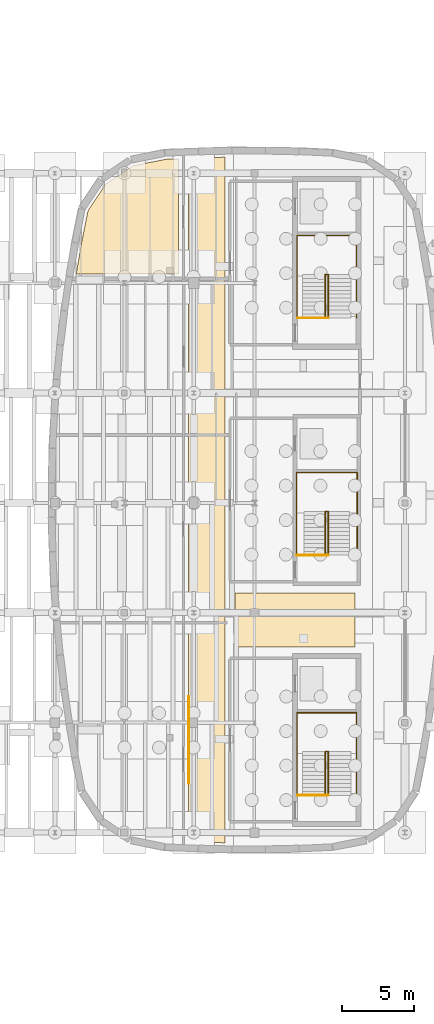
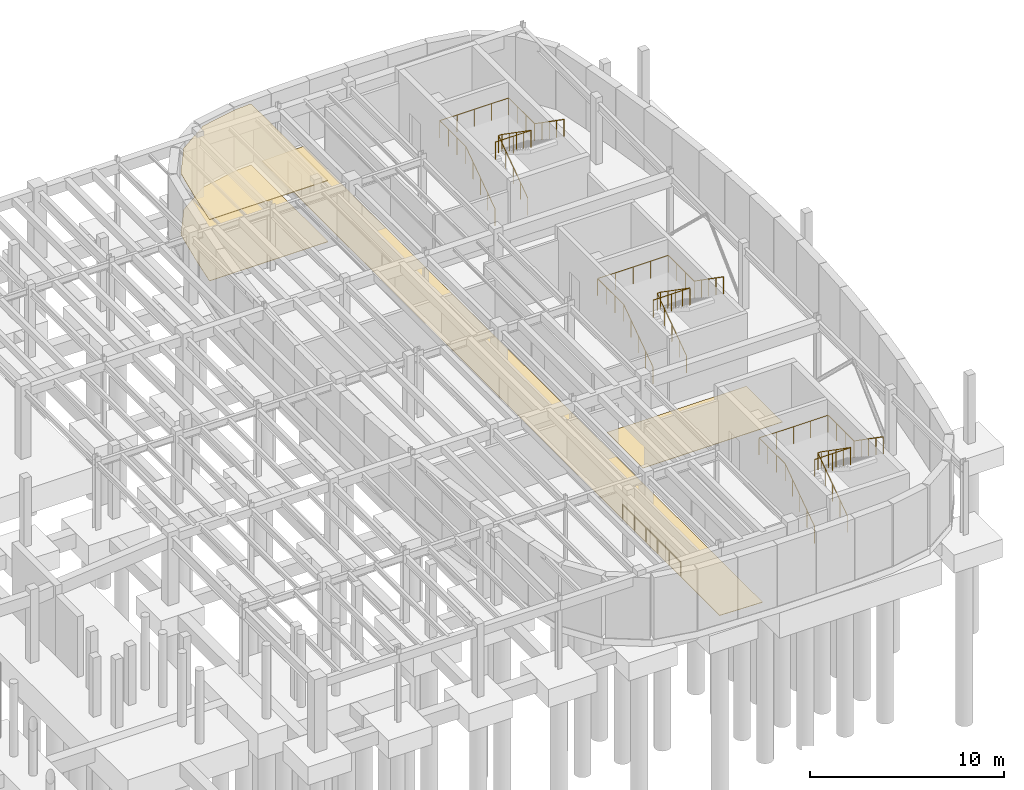
# One storey, part 44 of 45: 10 railings, 4 coverings.
"""IFC4 building model written with IfcOpenShell, lengths in metres."""

from ifc_helpers import new_model, si_unit, direction, frame, origin, origin_2d, place, context, subcontext, project, spatial, polyline, circle, outline, extrude, material, layer, layer_set, type_object, element, save


model = new_model("IFC4")

# Units and contexts
model_context = context("Model", 3, precision=1e-05, world=origin(), true_north=direction((0.0, 1.0)))
body_context = subcontext(model_context, "Body", "Model", "MODEL_VIEW")
ifc_project = project(units=[si_unit("LENGTHUNIT", "METRE"), si_unit("AREAUNIT", "SQUARE_METRE"), si_unit("VOLUMEUNIT", "CUBIC_METRE"), si_unit("PLANEANGLEUNIT", "RADIAN"), si_unit("MASSUNIT", "GRAM", prefix="KILO")], contexts=[model_context])

# Site, building, storey
site_placement = place(None, origin())
site = spatial("IfcSite", under=ifc_project, at=site_placement, CompositionType="ELEMENT")
building_placement = place(site_placement, origin())
building = spatial("IfcBuilding", under=site, at=building_placement, Name="Corveleigh Park Community Centre", CompositionType="ELEMENT")
storey_placement = place(building_placement, frame((0.0, 0.0, -4.199951171875)))
storey = spatial("IfcBuildingStorey", under=building, at=storey_placement, Name="B1", CompositionType="ELEMENT", Elevation=-4.199951171875)

# Coverings
ifc_material_1 = material(Name="Perforated acoustic suspended ceiling", Category="gypsum")
ifc_layer_1 = layer(ifc_material_1, 0.0400390625, Name="Perforated acoustic suspended ceiling", Category="gypsum")
ifc_layer_set_1 = layer_set([ifc_layer_1], Name="Perforated acoustic suspended ceiling")
covering_type_1 = type_object("IfcCoveringType", Name="COV-CLG-ACU", PredefinedType="CEILING", material=ifc_layer_set_1)
covering_1_placement = place(storey_placement, frame((0.0, 0.0, 3.849853515625)))
element("IfcCovering", 1, at=covering_1_placement, inside=storey, type_object=covering_type_1, Name="Facilities Workshop and WC B1 acoustic ceiling", PredefinedType="CEILING", context=body_context, shape_type="SweptSolid", body=[
    extrude(outline(polyline([(151.85302734375, 105.162109375), (152.760009765625, 105.2041015625), (152.760009765625, 97.239990234375), (145.674072265625, 97.239990234375), (146.032958984375, 99.320068359375), (146.486083984375, 101.60107421875), (147.73291015625, 103.467041015625), (149.59912109375, 104.714111328125), (151.85302734375, 105.162109375)])), origin(), (0.0, 0.0, 1.0), 0.0400390625),
])
ifc_material_2 = material(Name="Acoustic linoleum flooring", Category="wood")
ifc_layer_2 = layer(ifc_material_2, 0.02490234375, Name="Acoustic linoleum flooring", Category="wood")
ifc_layer_set_2 = layer_set([ifc_layer_2], Name="Acoustic linoleum flooring")
covering_type_2 = type_object("IfcCoveringType", Name="COV-FLR-LIN", PredefinedType="FLOORING", material=ifc_layer_set_2)
covering_2_placement = place(storey_placement, origin())
element("IfcCovering", 2, at=covering_2_placement, inside=storey, type_object=covering_type_2, Name="East Substructure Service Corridor flooring", PredefinedType="FLOORING", context=body_context, shape_type="SweptSolid", body=[
    extrude(outline(polyline([(153.43994140625, 57.964111328125), (153.43994140625, 105.236083984375), (155.9599609375, 105.31103515625), (155.9599609375, 57.888916015625), (153.43994140625, 57.964111328125)])), origin(), (0.0, 0.0, 1.0), 0.02490234375),
])
covering_3_placement = place(storey_placement, origin())
element("IfcCovering", 3, at=covering_3_placement, inside=storey, type_object=covering_type_2, Name="Facilities Workshop and WC B1 flooring", PredefinedType="FLOORING", context=body_context, shape_type="SweptSolid", body=[
    extrude(outline(polyline([(151.85302734375, 105.162109375), (152.760009765625, 105.2041015625), (152.760009765625, 97.239990234375), (145.674072265625, 97.239990234375), (146.032958984375, 99.320068359375), (146.486083984375, 101.60107421875), (147.73291015625, 103.467041015625), (149.59912109375, 104.714111328125), (151.85302734375, 105.162109375)])), origin(), (0.0, 0.0, 1.0), 0.02490234375),
])
covering_4_placement = place(storey_placement, origin())
element("IfcCovering", 4, at=covering_4_placement, inside=storey, type_object=covering_type_2, Name="Substructure East Link Passage flooring", PredefinedType="FLOORING", context=body_context, shape_type="SweptSolid", body=[
    extrude(outline(polyline([(164.9599609375, 71.43994140625), (156.639892578125, 71.43994140625), (156.639892578125, 75.159912109375), (164.9599609375, 75.159912109375), (164.9599609375, 71.43994140625)])), origin(), (0.0, 0.0, 1.0), 0.02490234375),
])

# Railings
ifc_material_3 = material(Name="Stainless steel 316 balustrade", Category="steel")
railing_type_1 = type_object("IfcRailingType", Name="RLG-BAL-INT-1100", PredefinedType="BALUSTRADE", material=ifc_material_3)
railing_1_placement = place(storey_placement, frame((162.89990234375, 61.179931640625, 0.0)))
element("IfcRailing", 5, at=railing_1_placement, inside=storey, type_object=railing_type_1, Name="Stair ST1 inner guard B1", PredefinedType="BALUSTRADE", context=body_context, shape_type="SweptSolid", body=[
    extrude(circle(Radius=0.02392578125, at=origin_2d()), frame((0.0, 0.0, 1.076171875), z_axis=(0.0, 0.821489876267, 0.570223099489), x_axis=(-1.0, 0.0, 0.0)), (0.0, 0.0, 1.0), 3.6826171875),
    extrude(circle(Radius=0.02392578125, at=origin_2d()), frame((0.0, 3.025146484375, 3.17578125), z_axis=(1.0, 0.0, 0.0), x_axis=(0.0, 1.0, 0.0)), (0.0, 0.0, 1.0), 0.2001953125),
    extrude(circle(Radius=0.02392578125, at=origin_2d()), frame((0.2001953125, 3.025146484375, 3.17578125), z_axis=(0.0, -0.821458820411, 0.570267837396), x_axis=(1.0, 0.0, 0.0)), (0.0, 0.0, 1.0), 3.6826171875),
    extrude(circle(Radius=0.02099609375, at=origin_2d()), origin(), (0.0, 0.0, 1.0), 1.052001953125),
    extrude(circle(Radius=0.02099609375, at=origin_2d()), frame((0.0, 0.75634765625, 0.52490234375)), (0.0, 0.0, 1.0), 1.052001953125),
    extrude(circle(Radius=0.02099609375, at=origin_2d()), frame((0.0, 1.5126953125, 1.0498046875)), (0.0, 0.0, 1.0), 1.052001953125),
    extrude(circle(Radius=0.02099609375, at=origin_2d()), frame((0.0, 2.268798828125, 1.574951171875)), (0.0, 0.0, 1.0), 1.052001953125),
    extrude(circle(Radius=0.02099609375, at=origin_2d()), frame((0.0, 3.025146484375, 2.099853515625)), (0.0, 0.0, 1.0), 1.052001953125),
    extrude(circle(Radius=0.02099609375, at=origin_2d()), frame((0.2001953125, 3.025146484375, 2.099853515625)), (0.0, 0.0, 1.0), 1.052001953125),
    extrude(circle(Radius=0.02099609375, at=origin_2d()), frame((0.2001953125, 2.268798828125, 2.625)), (0.0, 0.0, 1.0), 1.052001953125),
    extrude(circle(Radius=0.02099609375, at=origin_2d()), frame((0.2001953125, 1.5126953125, 3.14990234375)), (0.0, 0.0, 1.0), 1.052001953125),
    extrude(circle(Radius=0.02099609375, at=origin_2d()), frame((0.2001953125, 0.75634765625, 3.6748046875)), (0.0, 0.0, 1.0), 1.052001953125),
    extrude(circle(Radius=0.02099609375, at=origin_2d()), frame((0.2001953125, 0.0, 4.199951171875)), (0.0, 0.0, 1.0), 1.052001953125),
])
railing_2_placement = place(storey_placement, frame((160.967041015625, 61.179931640625, 4.199951171875)))
element("IfcRailing", 6, at=railing_2_placement, inside=storey, type_object=railing_type_1, Name="Stair ST1 landing guard B1", PredefinedType="BALUSTRADE", context=body_context, shape_type="SweptSolid", body=[
    extrude(circle(Radius=0.02392578125, at=origin_2d()), frame((0.0, 0.0, 1.076171875), z_axis=(1.0, 0.0, 0.0), x_axis=(0.0, 1.0, 0.0)), (0.0, 0.0, 1.0), 2.133056640625),
    extrude(circle(Radius=0.02099609375, at=origin_2d()), origin(), (0.0, 0.0, 1.0), 1.052001953125),
    extrude(circle(Radius=0.02099609375, at=origin_2d()), frame((1.06640625, 0.0, 0.0)), (0.0, 0.0, 1.0), 1.052001953125),
    extrude(circle(Radius=0.02099609375, at=origin_2d()), frame((2.133056640625, 0.0, 0.0)), (0.0, 0.0, 1.0), 1.052001953125),
])
railing_3_placement = place(storey_placement, frame((160.947021484375, 61.179931640625, 0.0)))
element("IfcRailing", 7, at=railing_3_placement, inside=storey, type_object=railing_type_1, Name="Stair ST1 perimeter guard B1", PredefinedType="BALUSTRADE", context=body_context, shape_type="SweptSolid", body=[
    extrude(circle(Radius=0.02392578125, at=origin_2d()), frame((0.0, 0.0, 1.076171875), z_axis=(0.0, 0.821489876267, 0.570223099489), x_axis=(-1.0, 0.0, 0.0)), (0.0, 0.0, 1.0), 3.6826171875),
    extrude(circle(Radius=0.02392578125, at=origin_2d()), frame((0.0, 3.025146484375, 3.17578125), z_axis=(0.0, 1.0, 0.0), x_axis=(-1.0, 0.0, 0.0)), (0.0, 0.0, 1.0), 2.68798828125),
    extrude(circle(Radius=0.02392578125, at=origin_2d()), frame((0.0, 5.713134765625, 3.17578125), z_axis=(1.0, 0.0, 0.0), x_axis=(0.0, 1.0, 0.0)), (0.0, 0.0, 1.0), 4.10595703125),
    extrude(circle(Radius=0.02392578125, at=origin_2d()), frame((4.10595703125, 5.713134765625, 3.17578125), z_axis=(0.0, -1.0, 0.0), x_axis=(1.0, 0.0, 0.0)), (0.0, 0.0, 1.0), 2.68798828125),
    extrude(circle(Radius=0.02392578125, at=origin_2d()), frame((4.10595703125, 3.025146484375, 3.17578125), z_axis=(0.0, -0.821458820411, 0.570267837396), x_axis=(1.0, 0.0, 0.0)), (0.0, 0.0, 1.0), 3.6826171875),
    extrude(circle(Radius=0.02099609375, at=origin_2d()), origin(), (0.0, 0.0, 1.0), 1.052001953125),
    extrude(circle(Radius=0.02099609375, at=origin_2d()), frame((0.0, 0.75634765625, 0.52490234375)), (0.0, 0.0, 1.0), 1.052001953125),
    extrude(circle(Radius=0.02099609375, at=origin_2d()), frame((0.0, 1.5126953125, 1.0498046875)), (0.0, 0.0, 1.0), 1.052001953125),
    extrude(circle(Radius=0.02099609375, at=origin_2d()), frame((0.0, 2.268798828125, 1.574951171875)), (0.0, 0.0, 1.0), 1.052001953125),
    extrude(circle(Radius=0.02099609375, at=origin_2d()), frame((0.0, 3.025146484375, 2.099853515625)), (0.0, 0.0, 1.0), 1.052001953125),
    extrude(circle(Radius=0.02099609375, at=origin_2d()), frame((0.0, 3.921142578125, 2.099853515625)), (0.0, 0.0, 1.0), 1.052001953125),
    extrude(circle(Radius=0.02099609375, at=origin_2d()), frame((0.0, 4.817138671875, 2.099853515625)), (0.0, 0.0, 1.0), 1.052001953125),
    extrude(circle(Radius=0.02099609375, at=origin_2d()), frame((0.0, 5.713134765625, 2.099853515625)), (0.0, 0.0, 1.0), 1.052001953125),
    extrude(circle(Radius=0.02099609375, at=origin_2d()), frame((1.0263671875, 5.713134765625, 2.099853515625)), (0.0, 0.0, 1.0), 1.052001953125),
    extrude(circle(Radius=0.02099609375, at=origin_2d()), frame((2.052978515625, 5.713134765625, 2.099853515625)), (0.0, 0.0, 1.0), 1.052001953125),
    extrude(circle(Radius=0.02099609375, at=origin_2d()), frame((3.07958984375, 5.713134765625, 2.099853515625)), (0.0, 0.0, 1.0), 1.052001953125),
    extrude(circle(Radius=0.02099609375, at=origin_2d()), frame((4.10595703125, 5.713134765625, 2.099853515625)), (0.0, 0.0, 1.0), 1.052001953125),
    extrude(circle(Radius=0.02099609375, at=origin_2d()), frame((4.10595703125, 4.817138671875, 2.099853515625)), (0.0, 0.0, 1.0), 1.052001953125),
    extrude(circle(Radius=0.02099609375, at=origin_2d()), frame((4.10595703125, 3.921142578125, 2.099853515625)), (0.0, 0.0, 1.0), 1.052001953125),
    extrude(circle(Radius=0.02099609375, at=origin_2d()), frame((4.10595703125, 3.025146484375, 2.099853515625)), (0.0, 0.0, 1.0), 1.052001953125),
    extrude(circle(Radius=0.02099609375, at=origin_2d()), frame((4.10595703125, 2.268798828125, 2.625)), (0.0, 0.0, 1.0), 1.052001953125),
    extrude(circle(Radius=0.02099609375, at=origin_2d()), frame((4.10595703125, 1.5126953125, 3.14990234375)), (0.0, 0.0, 1.0), 1.052001953125),
    extrude(circle(Radius=0.02099609375, at=origin_2d()), frame((4.10595703125, 0.75634765625, 3.6748046875)), (0.0, 0.0, 1.0), 1.052001953125),
    extrude(circle(Radius=0.02099609375, at=origin_2d()), frame((4.10595703125, 0.0, 4.199951171875)), (0.0, 0.0, 1.0), 1.052001953125),
])
railing_4_placement = place(storey_placement, frame((162.89990234375, 94.179931640625, 0.0)))
element("IfcRailing", 8, at=railing_4_placement, inside=storey, type_object=railing_type_1, Name="Stair ST2 inner guard B1", PredefinedType="BALUSTRADE", context=body_context, shape_type="SweptSolid", body=[
    extrude(circle(Radius=0.02392578125, at=origin_2d()), frame((0.0, 0.0, 1.076171875), z_axis=(0.0, 0.821489876267, 0.570223099489), x_axis=(-1.0, 0.0, 0.0)), (0.0, 0.0, 1.0), 3.6826171875),
    extrude(circle(Radius=0.02392578125, at=origin_2d()), frame((0.0, 3.025146484375, 3.17578125), z_axis=(1.0, 0.0, 0.0), x_axis=(0.0, 1.0, 0.0)), (0.0, 0.0, 1.0), 0.2001953125),
    extrude(circle(Radius=0.02392578125, at=origin_2d()), frame((0.2001953125, 3.025146484375, 3.17578125), z_axis=(0.0, -0.821458820411, 0.570267837396), x_axis=(1.0, 0.0, 0.0)), (0.0, 0.0, 1.0), 3.6826171875),
    extrude(circle(Radius=0.02099609375, at=origin_2d()), origin(), (0.0, 0.0, 1.0), 1.052001953125),
    extrude(circle(Radius=0.02099609375, at=origin_2d()), frame((0.0, 0.75634765625, 0.52490234375)), (0.0, 0.0, 1.0), 1.052001953125),
    extrude(circle(Radius=0.02099609375, at=origin_2d()), frame((0.0, 1.5126953125, 1.0498046875)), (0.0, 0.0, 1.0), 1.052001953125),
    extrude(circle(Radius=0.02099609375, at=origin_2d()), frame((0.0, 2.268798828125, 1.574951171875)), (0.0, 0.0, 1.0), 1.052001953125),
    extrude(circle(Radius=0.02099609375, at=origin_2d()), frame((0.0, 3.025146484375, 2.099853515625)), (0.0, 0.0, 1.0), 1.052001953125),
    extrude(circle(Radius=0.02099609375, at=origin_2d()), frame((0.2001953125, 3.025146484375, 2.099853515625)), (0.0, 0.0, 1.0), 1.052001953125),
    extrude(circle(Radius=0.02099609375, at=origin_2d()), frame((0.2001953125, 2.268798828125, 2.625)), (0.0, 0.0, 1.0), 1.052001953125),
    extrude(circle(Radius=0.02099609375, at=origin_2d()), frame((0.2001953125, 1.5126953125, 3.14990234375)), (0.0, 0.0, 1.0), 1.052001953125),
    extrude(circle(Radius=0.02099609375, at=origin_2d()), frame((0.2001953125, 0.75634765625, 3.6748046875)), (0.0, 0.0, 1.0), 1.052001953125),
    extrude(circle(Radius=0.02099609375, at=origin_2d()), frame((0.2001953125, 0.0, 4.199951171875)), (0.0, 0.0, 1.0), 1.052001953125),
])
railing_5_placement = place(storey_placement, frame((160.967041015625, 94.179931640625, 4.199951171875)))
element("IfcRailing", 9, at=railing_5_placement, inside=storey, type_object=railing_type_1, Name="Stair ST2 landing guard B1", PredefinedType="BALUSTRADE", context=body_context, shape_type="SweptSolid", body=[
    extrude(circle(Radius=0.02392578125, at=origin_2d()), frame((0.0, 0.0, 1.076171875), z_axis=(1.0, 0.0, 0.0), x_axis=(0.0, 1.0, 0.0)), (0.0, 0.0, 1.0), 2.133056640625),
    extrude(circle(Radius=0.02099609375, at=origin_2d()), origin(), (0.0, 0.0, 1.0), 1.052001953125),
    extrude(circle(Radius=0.02099609375, at=origin_2d()), frame((1.06640625, 0.0, 0.0)), (0.0, 0.0, 1.0), 1.052001953125),
    extrude(circle(Radius=0.02099609375, at=origin_2d()), frame((2.133056640625, 0.0, 0.0)), (0.0, 0.0, 1.0), 1.052001953125),
])
railing_6_placement = place(storey_placement, frame((160.947021484375, 94.179931640625, 0.0)))
element("IfcRailing", 10, at=railing_6_placement, inside=storey, type_object=railing_type_1, Name="Stair ST2 perimeter guard B1", PredefinedType="BALUSTRADE", context=body_context, shape_type="SweptSolid", body=[
    extrude(circle(Radius=0.02392578125, at=origin_2d()), frame((0.0, 0.0, 1.076171875), z_axis=(0.0, 0.821489876267, 0.570223099489), x_axis=(-1.0, 0.0, 0.0)), (0.0, 0.0, 1.0), 3.6826171875),
    extrude(circle(Radius=0.02392578125, at=origin_2d()), frame((0.0, 3.025146484375, 3.17578125), z_axis=(0.0, 1.0, 0.0), x_axis=(-1.0, 0.0, 0.0)), (0.0, 0.0, 1.0), 2.68798828125),
    extrude(circle(Radius=0.02392578125, at=origin_2d()), frame((0.0, 5.713134765625, 3.17578125), z_axis=(1.0, 0.0, 0.0), x_axis=(0.0, 1.0, 0.0)), (0.0, 0.0, 1.0), 4.10595703125),
    extrude(circle(Radius=0.02392578125, at=origin_2d()), frame((4.10595703125, 5.713134765625, 3.17578125), z_axis=(0.0, -1.0, 0.0), x_axis=(1.0, 0.0, 0.0)), (0.0, 0.0, 1.0), 2.68798828125),
    extrude(circle(Radius=0.02392578125, at=origin_2d()), frame((4.10595703125, 3.025146484375, 3.17578125), z_axis=(0.0, -0.821458820411, 0.570267837396), x_axis=(1.0, 0.0, 0.0)), (0.0, 0.0, 1.0), 3.6826171875),
    extrude(circle(Radius=0.02099609375, at=origin_2d()), origin(), (0.0, 0.0, 1.0), 1.052001953125),
    extrude(circle(Radius=0.02099609375, at=origin_2d()), frame((0.0, 0.75634765625, 0.52490234375)), (0.0, 0.0, 1.0), 1.052001953125),
    extrude(circle(Radius=0.02099609375, at=origin_2d()), frame((0.0, 1.5126953125, 1.0498046875)), (0.0, 0.0, 1.0), 1.052001953125),
    extrude(circle(Radius=0.02099609375, at=origin_2d()), frame((0.0, 2.268798828125, 1.574951171875)), (0.0, 0.0, 1.0), 1.052001953125),
    extrude(circle(Radius=0.02099609375, at=origin_2d()), frame((0.0, 3.025146484375, 2.099853515625)), (0.0, 0.0, 1.0), 1.052001953125),
    extrude(circle(Radius=0.02099609375, at=origin_2d()), frame((0.0, 3.921142578125, 2.099853515625)), (0.0, 0.0, 1.0), 1.052001953125),
    extrude(circle(Radius=0.02099609375, at=origin_2d()), frame((0.0, 4.817138671875, 2.099853515625)), (0.0, 0.0, 1.0), 1.052001953125),
    extrude(circle(Radius=0.02099609375, at=origin_2d()), frame((0.0, 5.713134765625, 2.099853515625)), (0.0, 0.0, 1.0), 1.052001953125),
    extrude(circle(Radius=0.02099609375, at=origin_2d()), frame((1.0263671875, 5.713134765625, 2.099853515625)), (0.0, 0.0, 1.0), 1.052001953125),
    extrude(circle(Radius=0.02099609375, at=origin_2d()), frame((2.052978515625, 5.713134765625, 2.099853515625)), (0.0, 0.0, 1.0), 1.052001953125),
    extrude(circle(Radius=0.02099609375, at=origin_2d()), frame((3.07958984375, 5.713134765625, 2.099853515625)), (0.0, 0.0, 1.0), 1.052001953125),
    extrude(circle(Radius=0.02099609375, at=origin_2d()), frame((4.10595703125, 5.713134765625, 2.099853515625)), (0.0, 0.0, 1.0), 1.052001953125),
    extrude(circle(Radius=0.02099609375, at=origin_2d()), frame((4.10595703125, 4.817138671875, 2.099853515625)), (0.0, 0.0, 1.0), 1.052001953125),
    extrude(circle(Radius=0.02099609375, at=origin_2d()), frame((4.10595703125, 3.921142578125, 2.099853515625)), (0.0, 0.0, 1.0), 1.052001953125),
    extrude(circle(Radius=0.02099609375, at=origin_2d()), frame((4.10595703125, 3.025146484375, 2.099853515625)), (0.0, 0.0, 1.0), 1.052001953125),
    extrude(circle(Radius=0.02099609375, at=origin_2d()), frame((4.10595703125, 2.268798828125, 2.625)), (0.0, 0.0, 1.0), 1.052001953125),
    extrude(circle(Radius=0.02099609375, at=origin_2d()), frame((4.10595703125, 1.5126953125, 3.14990234375)), (0.0, 0.0, 1.0), 1.052001953125),
    extrude(circle(Radius=0.02099609375, at=origin_2d()), frame((4.10595703125, 0.75634765625, 3.6748046875)), (0.0, 0.0, 1.0), 1.052001953125),
    extrude(circle(Radius=0.02099609375, at=origin_2d()), frame((4.10595703125, 0.0, 4.199951171875)), (0.0, 0.0, 1.0), 1.052001953125),
])
railing_7_placement = place(storey_placement, frame((162.89990234375, 77.780029296875, 0.0)))
element("IfcRailing", 11, at=railing_7_placement, inside=storey, type_object=railing_type_1, Name="Stair ST6 inner guard B1", PredefinedType="BALUSTRADE", context=body_context, shape_type="SweptSolid", body=[
    extrude(circle(Radius=0.02392578125, at=origin_2d()), frame((0.0, 0.0, 1.076171875), z_axis=(0.0, 0.821468317647, 0.570254156585), x_axis=(-1.0, 0.0, 0.0)), (0.0, 0.0, 1.0), 3.682373046875),
    extrude(circle(Radius=0.02392578125, at=origin_2d()), frame((0.0, 3.02490234375, 3.17578125), z_axis=(1.0, 0.0, 0.0), x_axis=(0.0, 1.0, 0.0)), (0.0, 0.0, 1.0), 0.2001953125),
    extrude(circle(Radius=0.02392578125, at=origin_2d()), frame((0.2001953125, 3.02490234375, 3.17578125), z_axis=(0.0, -0.821437259224, 0.57029889458), x_axis=(1.0, 0.0, 0.0)), (0.0, 0.0, 1.0), 3.682373046875),
    extrude(circle(Radius=0.02099609375, at=origin_2d()), origin(), (0.0, 0.0, 1.0), 1.052001953125),
    extrude(circle(Radius=0.02099609375, at=origin_2d()), frame((0.0, 0.75634765625, 0.52490234375)), (0.0, 0.0, 1.0), 1.052001953125),
    extrude(circle(Radius=0.02099609375, at=origin_2d()), frame((0.0, 1.512451171875, 1.0498046875)), (0.0, 0.0, 1.0), 1.052001953125),
    extrude(circle(Radius=0.02099609375, at=origin_2d()), frame((0.0, 2.2685546875, 1.574951171875)), (0.0, 0.0, 1.0), 1.052001953125),
    extrude(circle(Radius=0.02099609375, at=origin_2d()), frame((0.0, 3.02490234375, 2.099853515625)), (0.0, 0.0, 1.0), 1.052001953125),
    extrude(circle(Radius=0.02099609375, at=origin_2d()), frame((0.2001953125, 3.02490234375, 2.099853515625)), (0.0, 0.0, 1.0), 1.052001953125),
    extrude(circle(Radius=0.02099609375, at=origin_2d()), frame((0.2001953125, 2.2685546875, 2.625)), (0.0, 0.0, 1.0), 1.052001953125),
    extrude(circle(Radius=0.02099609375, at=origin_2d()), frame((0.2001953125, 1.512451171875, 3.14990234375)), (0.0, 0.0, 1.0), 1.052001953125),
    extrude(circle(Radius=0.02099609375, at=origin_2d()), frame((0.2001953125, 0.75634765625, 3.6748046875)), (0.0, 0.0, 1.0), 1.052001953125),
    extrude(circle(Radius=0.02099609375, at=origin_2d()), frame((0.2001953125, 0.0, 4.199951171875)), (0.0, 0.0, 1.0), 1.052001953125),
])
railing_8_placement = place(storey_placement, frame((160.9169921875, 77.780029296875, 4.199951171875)))
element("IfcRailing", 12, at=railing_8_placement, inside=storey, type_object=railing_type_1, Name="Stair ST6 landing guard B1", PredefinedType="BALUSTRADE", context=body_context, shape_type="SweptSolid", body=[
    extrude(circle(Radius=0.02392578125, at=origin_2d()), frame((0.0, 0.0, 1.076171875), z_axis=(1.0, 0.0, 0.0), x_axis=(0.0, 1.0, 0.0)), (0.0, 0.0, 1.0), 2.18310546875),
    extrude(circle(Radius=0.02099609375, at=origin_2d()), origin(), (0.0, 0.0, 1.0), 1.052001953125),
    extrude(circle(Radius=0.02099609375, at=origin_2d()), frame((1.091552734375, 0.0, 0.0)), (0.0, 0.0, 1.0), 1.052001953125),
    extrude(circle(Radius=0.02099609375, at=origin_2d()), frame((2.18310546875, 0.0, 0.0)), (0.0, 0.0, 1.0), 1.052001953125),
])
railing_9_placement = place(storey_placement, frame((160.89697265625, 77.780029296875, 0.0)))
element("IfcRailing", 13, at=railing_9_placement, inside=storey, type_object=railing_type_1, Name="Stair ST6 perimeter guard B1", PredefinedType="BALUSTRADE", context=body_context, shape_type="SweptSolid", body=[
    extrude(circle(Radius=0.02392578125, at=origin_2d()), frame((0.0, 0.0, 1.076171875), z_axis=(0.0, 0.821468317647, 0.570254156585), x_axis=(-1.0, 0.0, 0.0)), (0.0, 0.0, 1.0), 3.682373046875),
    extrude(circle(Radius=0.02392578125, at=origin_2d()), frame((0.0, 3.02490234375, 3.17578125), z_axis=(0.0, 1.0, 0.0), x_axis=(-1.0, 0.0, 0.0)), (0.0, 0.0, 1.0), 2.68798828125),
    extrude(circle(Radius=0.02392578125, at=origin_2d()), frame((0.0, 5.712890625, 3.17578125), z_axis=(1.0, 0.0, 0.0), x_axis=(0.0, 1.0, 0.0)), (0.0, 0.0, 1.0), 4.2060546875),
    extrude(circle(Radius=0.02392578125, at=origin_2d()), frame((4.2060546875, 5.712890625, 3.17578125), z_axis=(0.0, -1.0, 0.0), x_axis=(1.0, 0.0, 0.0)), (0.0, 0.0, 1.0), 2.68798828125),
    extrude(circle(Radius=0.02392578125, at=origin_2d()), frame((4.2060546875, 3.02490234375, 3.17578125), z_axis=(0.0, -0.821437259224, 0.57029889458), x_axis=(1.0, 0.0, 0.0)), (0.0, 0.0, 1.0), 3.682373046875),
    extrude(circle(Radius=0.02099609375, at=origin_2d()), origin(), (0.0, 0.0, 1.0), 1.052001953125),
    extrude(circle(Radius=0.02099609375, at=origin_2d()), frame((0.0, 0.75634765625, 0.52490234375)), (0.0, 0.0, 1.0), 1.052001953125),
    extrude(circle(Radius=0.02099609375, at=origin_2d()), frame((0.0, 1.512451171875, 1.0498046875)), (0.0, 0.0, 1.0), 1.052001953125),
    extrude(circle(Radius=0.02099609375, at=origin_2d()), frame((0.0, 2.2685546875, 1.574951171875)), (0.0, 0.0, 1.0), 1.052001953125),
    extrude(circle(Radius=0.02099609375, at=origin_2d()), frame((0.0, 3.02490234375, 2.099853515625)), (0.0, 0.0, 1.0), 1.052001953125),
    extrude(circle(Radius=0.02099609375, at=origin_2d()), frame((0.0, 3.9208984375, 2.099853515625)), (0.0, 0.0, 1.0), 1.052001953125),
    extrude(circle(Radius=0.02099609375, at=origin_2d()), frame((0.0, 4.81689453125, 2.099853515625)), (0.0, 0.0, 1.0), 1.052001953125),
    extrude(circle(Radius=0.02099609375, at=origin_2d()), frame((0.0, 5.712890625, 2.099853515625)), (0.0, 0.0, 1.0), 1.052001953125),
    extrude(circle(Radius=0.02099609375, at=origin_2d()), frame((1.051513671875, 5.712890625, 2.099853515625)), (0.0, 0.0, 1.0), 1.052001953125),
    extrude(circle(Radius=0.02099609375, at=origin_2d()), frame((2.10302734375, 5.712890625, 2.099853515625)), (0.0, 0.0, 1.0), 1.052001953125),
    extrude(circle(Radius=0.02099609375, at=origin_2d()), frame((3.154541015625, 5.712890625, 2.099853515625)), (0.0, 0.0, 1.0), 1.052001953125),
    extrude(circle(Radius=0.02099609375, at=origin_2d()), frame((4.2060546875, 5.712890625, 2.099853515625)), (0.0, 0.0, 1.0), 1.052001953125),
    extrude(circle(Radius=0.02099609375, at=origin_2d()), frame((4.2060546875, 4.81689453125, 2.099853515625)), (0.0, 0.0, 1.0), 1.052001953125),
    extrude(circle(Radius=0.02099609375, at=origin_2d()), frame((4.2060546875, 3.9208984375, 2.099853515625)), (0.0, 0.0, 1.0), 1.052001953125),
    extrude(circle(Radius=0.02099609375, at=origin_2d()), frame((4.2060546875, 3.02490234375, 2.099853515625)), (0.0, 0.0, 1.0), 1.052001953125),
    extrude(circle(Radius=0.02099609375, at=origin_2d()), frame((4.2060546875, 2.2685546875, 2.625)), (0.0, 0.0, 1.0), 1.052001953125),
    extrude(circle(Radius=0.02099609375, at=origin_2d()), frame((4.2060546875, 1.512451171875, 3.14990234375)), (0.0, 0.0, 1.0), 1.052001953125),
    extrude(circle(Radius=0.02099609375, at=origin_2d()), frame((4.2060546875, 0.75634765625, 3.6748046875)), (0.0, 0.0, 1.0), 1.052001953125),
    extrude(circle(Radius=0.02099609375, at=origin_2d()), frame((4.2060546875, 0.0, 4.199951171875)), (0.0, 0.0, 1.0), 1.052001953125),
])
ifc_material_4 = material(Name="Powder-coated aluminium handrail", Category="aluminium")
railing_type_2 = type_object("IfcRailingType", Name="RLG-HND-INT-950", PredefinedType="HANDRAIL", material=ifc_material_4)
railing_10_placement = place(storey_placement, frame((153.449951171875, 62.0, 0.0)))
element("IfcRailing", 14, at=railing_10_placement, inside=storey, type_object=railing_type_2, Name="Accessible corridor wall handrail B1", PredefinedType="HANDRAIL", context=body_context, shape_type="SweptSolid", body=[
    extrude(circle(Radius=0.02392578125, at=origin_2d()), frame((0.0, 0.0, 0.92578125), z_axis=(0.0, 1.0, 0.0), x_axis=(-1.0, 0.0, 0.0)), (0.0, 0.0, 1.0), 6.0),
    extrude(circle(Radius=0.02099609375, at=origin_2d()), origin(), (0.0, 0.0, 1.0), 0.90185546875),
    extrude(circle(Radius=0.02099609375, at=origin_2d()), frame((0.0, 1.199951171875, 0.0)), (0.0, 0.0, 1.0), 0.90185546875),
    extrude(circle(Radius=0.02099609375, at=origin_2d()), frame((0.0, 2.39990234375, 0.0)), (0.0, 0.0, 1.0), 0.90185546875),
    extrude(circle(Radius=0.02099609375, at=origin_2d()), frame((0.0, 3.60009765625, 0.0)), (0.0, 0.0, 1.0), 0.90185546875),
    extrude(circle(Radius=0.02099609375, at=origin_2d()), frame((0.0, 4.800048828125, 0.0)), (0.0, 0.0, 1.0), 0.90185546875),
    extrude(circle(Radius=0.02099609375, at=origin_2d()), frame((0.0, 6.0, 0.0)), (0.0, 0.0, 1.0), 0.90185546875),
])

save(model, "model.ifc")
